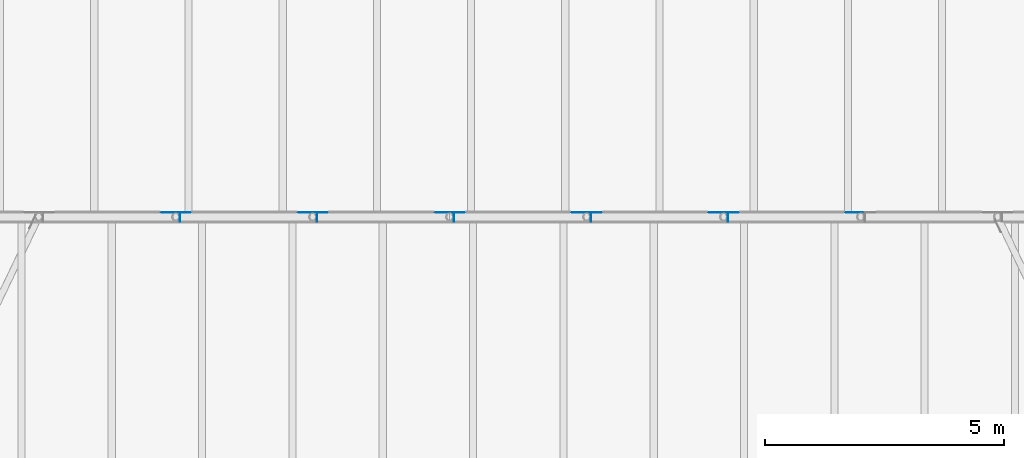
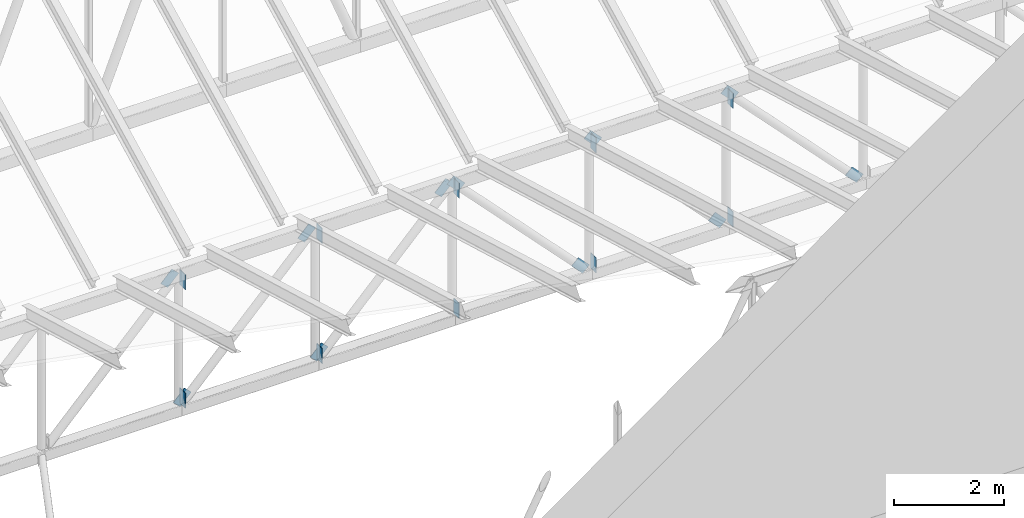
# One storey, part 49 of 68: 21 discrete accessories.
"""IFC4 building model written with IfcOpenShell, lengths in metres."""

from ifc_helpers import new_model, si_unit, direction, frame, origin, origin_2d, place, context, subcontext, project, spatial, rectangle, extrude, material, material_profile, profile_set, type_object, element, save


model = new_model("IFC4")

# Units and contexts
model_context = context("Model", 3, precision=1e-05, world=origin(), true_north=direction((0.0, 1.0)))
body_context = subcontext(model_context, "Body", "Model", "MODEL_VIEW")
ifc_project = project(units=[si_unit("LENGTHUNIT", "METRE"), si_unit("AREAUNIT", "SQUARE_METRE"), si_unit("VOLUMEUNIT", "CUBIC_METRE"), si_unit("PLANEANGLEUNIT", "RADIAN"), si_unit("MASSUNIT", "GRAM", prefix="KILO")], contexts=[model_context])

# Site, building, storey
site_placement = place(None, origin())
site = spatial("IfcSite", under=ifc_project, at=site_placement, CompositionType="ELEMENT")
building_placement = place(site_placement, origin())
building = spatial("IfcBuilding", under=site, at=building_placement, Name="Larchfold Concert Hall", CompositionType="ELEMENT")
storey_placement = place(building_placement, frame((0.0, 0.0, 28.800048828125)))
storey = spatial("IfcBuildingStorey", under=building, at=storey_placement, Name="L06", CompositionType="ELEMENT", Elevation=28.800048828125)

# Discrete accessories
ifc_material = material(Name="Steel S355 galvanised bracket", Category="steel")
ifc_material_profile = material_profile(ifc_material, rectangle(XDim=0.011962890625, YDim=0.199951171875, at=origin_2d()))
ifc_profile_set = profile_set([ifc_material_profile], Name="Steel S355 galvanised bracket")
discrete_accessory_type = type_object("IfcDiscreteAccessoryType", Name="Gusset plate 12x200", PredefinedType="BRACKET", material=ifc_profile_set)
for number, where, z_axis, x_axis, name in (
    (1, (35.514892578125, 68.39990234375, 2.97998046875), (0.0, 0.0, -1.0), (1.0, 0.0, 0.0), "Gusset plate GP0183"),
    (2, (35.514892578125, 68.39990234375, 0.356689453125), (0.0, 0.0, -1.0), (1.0, 0.0, 0.0), "Gusset plate GP0184"),
    (3, (38.385009765625, 68.39990234375, 3.0), (0.0, 0.0, -1.0), (1.0, 0.0, 0.0), "Gusset plate GP0185"),
    (4, (38.385009765625, 68.39990234375, 0.336669921875), (0.0, 0.0, -1.0), (1.0, 0.0, 0.0), "Gusset plate GP0186"),
    (5, (41.255126953125, 68.39990234375, 3.0), (0.0, 0.0, -1.0), (1.0, 0.0, 0.0), "Gusset plate GP0187"),
    (6, (41.255126953125, 68.39990234375, 0.336669921875), (0.0, 0.0, -1.0), (1.0, 0.0, 0.0), "Gusset plate GP0188"),
    (7, (44.125244140625, 68.39990234375, 3.0), (0.0, 0.0, -1.0), (1.0, 0.0, 0.0), "Gusset plate GP0189"),
    (8, (44.125244140625, 68.39990234375, 0.336669921875), (0.0, 0.0, -1.0), (1.0, 0.0, 0.0), "Gusset plate GP0190"),
    (9, (46.995361328125, 68.39990234375, 2.97998046875), (0.0, 0.0, -1.0), (1.0, 0.0, 0.0), "Gusset plate GP0191"),
    (10, (46.995361328125, 68.39990234375, 0.356689453125), (0.0, 0.0, -1.0), (1.0, 0.0, 0.0), "Gusset plate GP0192"),
):
    element("IfcDiscreteAccessory", number, at=place(storey_placement, frame(where, z_axis=z_axis, x_axis=x_axis)), inside=storey, type_object=discrete_accessory_type, Name=name, PredefinedType="BRACKET", context=body_context, shape_type="SweptSolid", body=[
        extrude(rectangle(XDim=0.011962890625, YDim=0.199951171875, at=origin_2d()), origin(), (0.0, 0.0, 1.0), 0.336669921875),
    ])
for number, where, z_axis, x_axis, name in (
    (11, (35.17822265625, 68.489990234375, 2.742431640625), (0.691337933084, 0.0, 0.722531564902), (0.0, 1.0, 0.0), "Gusset plate GP0214"),
    (12, (35.438720703125, 68.489990234375, 0.014404296875), (0.691337933084, 0.0, 0.722531564902), (0.0, 1.0, 0.0), "Gusset plate GP0215"),
    (13, (38.04833984375, 68.489990234375, 2.742431640625), (0.691337933084, 0.0, 0.722531564902), (0.0, 1.0, 0.0), "Gusset plate GP0216"),
    (14, (38.308837890625, 68.489990234375, 0.014404296875), (0.691337933084, 0.0, 0.722531564902), (0.0, 1.0, 0.0), "Gusset plate GP0217"),
    (15, (40.91845703125, 68.489990234375, 2.742431640625), (0.691337933084, 0.0, 0.722531564902), (0.0, 1.0, 0.0), "Gusset plate GP0218"),
    (16, (41.178955078125, 68.489990234375, 2.985595703125), (0.691337933084, 0.0, -0.722531564902), (0.0, 1.0, 0.0), "Gusset plate GP0219"),
    (17, (43.78857421875, 68.489990234375, 0.257568359375), (0.691337933084, 0.0, -0.722531564902), (0.0, 1.0, 0.0), "Gusset plate GP0220"),
    (18, (44.049072265625, 68.489990234375, 2.985595703125), (0.691337933084, 0.0, -0.722531564902), (0.0, 1.0, 0.0), "Gusset plate GP0221"),
    (19, (46.65869140625, 68.489990234375, 0.257568359375), (0.691337933084, 0.0, -0.722531564902), (0.0, 1.0, 0.0), "Gusset plate GP0222"),
    (20, (46.919189453125, 68.489990234375, 2.985595703125), (0.691337933084, 0.0, -0.722531564902), (0.0, 1.0, 0.0), "Gusset plate GP0223"),
    (21, (49.52880859375, 68.489990234375, 0.257568359375), (0.691337933084, 0.0, -0.722531564902), (0.0, 1.0, 0.0), "Gusset plate GP0224"),
):
    element("IfcDiscreteAccessory", number, at=place(storey_placement, frame(where, z_axis=z_axis, x_axis=x_axis)), inside=storey, type_object=discrete_accessory_type, Name=name, PredefinedType="BRACKET", context=body_context, shape_type="SweptSolid", body=[
        extrude(rectangle(XDim=0.011962890625, YDim=0.199951171875, at=origin_2d()), origin(), (0.0, 0.0, 1.0), 0.33642578125),
    ])

save(model, "model.ifc")
